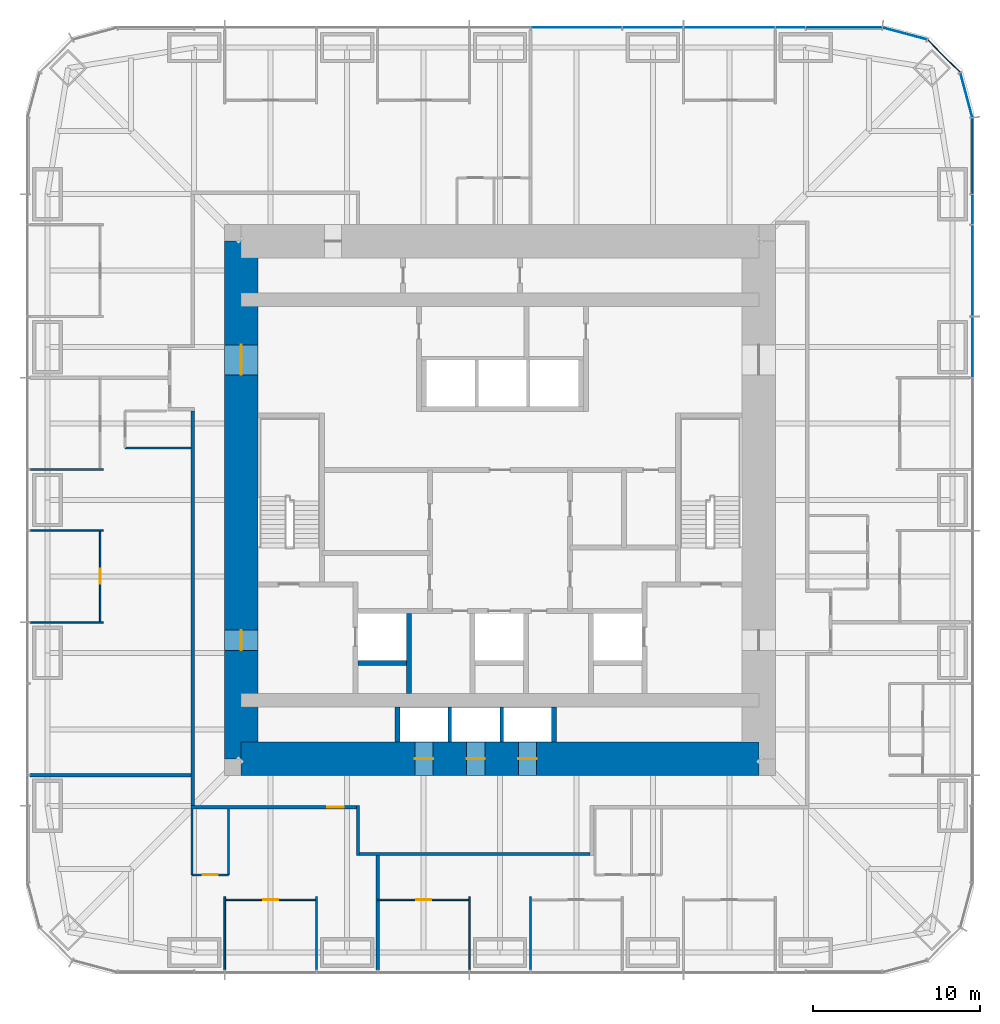
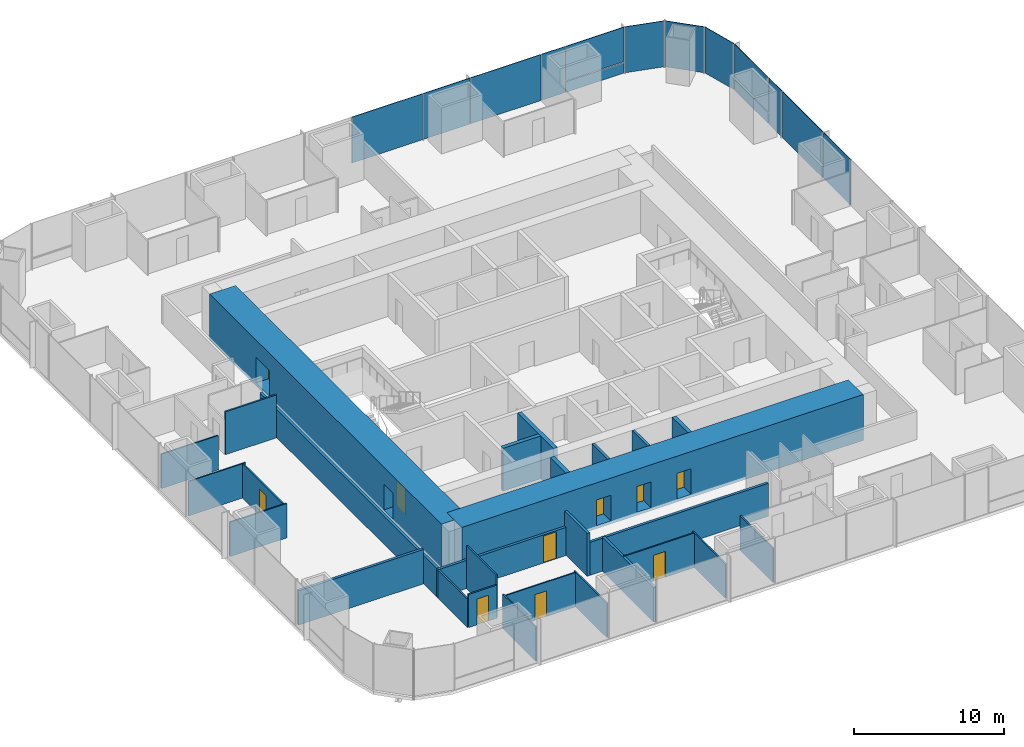
# One storey, part 7 of 11: 28 walls, 14 plates, 10 doors, 10 openings, 3 elements without a shape of their own.
"""IFC4 building model written with IfcOpenShell, lengths in metres."""

from ifc_helpers import new_model, si_unit, direction, frame, frame_2d, origin, origin_2d, place, context, subcontext, project, spatial, rectangle, extrude, material, layer, layer_set, type_object, element, fill, aggregate, save


model = new_model("IFC4")

# Units and contexts
model_context = context("Model", 3, precision=1e-05, world=origin(), true_north=direction((0.0, 1.0)))
body_context = subcontext(model_context, "Body", "Model", "MODEL_VIEW")
ifc_project = project(units=[si_unit("LENGTHUNIT", "METRE"), si_unit("AREAUNIT", "SQUARE_METRE"), si_unit("VOLUMEUNIT", "CUBIC_METRE"), si_unit("PLANEANGLEUNIT", "RADIAN"), si_unit("MASSUNIT", "GRAM", prefix="KILO")], contexts=[model_context])

# Site, building, storey
site_placement = place(None, origin())
site = spatial("IfcSite", under=ifc_project, at=site_placement, CompositionType="ELEMENT")
building_placement = place(site_placement, origin())
building = spatial("IfcBuilding", under=site, at=building_placement, Name="Khuree Lantern Residences", CompositionType="ELEMENT")
storey_placement = place(building_placement, frame((0.0, 0.0, 171.0)))
storey = spatial("IfcBuildingStorey", under=building, at=storey_placement, Name="L43", CompositionType="ELEMENT", Elevation=171.0)

# Curtain wall, plates
ifc_material_1 = material(Name="Bronze anodised aluminium", Category="aluminium")
curtain_wall_type_1 = type_object("IfcCurtainWallType", Name="CW-T2 TOWER CORNER CURTAIN WALL", PredefinedType="USERDEFINED", material=ifc_material_1)
curtain_wall_1_placement = place(storey_placement, origin())
curtain_wall_1 = element("IfcCurtainWall", 1, at=curtain_wall_1_placement, inside=storey, type_object=curtain_wall_type_1, Name="L43 NORTH-EAST CORNER CURTAIN WALL", ObjectType="Faceted corner curtain wall", PredefinedType="USERDEFINED")
ifc_material_2 = material(Name="Bronze tinted triple glazing", Category="glass")
ifc_layer_1 = layer(ifc_material_2, 0.048095703125)
ifc_layer_set_1 = layer_set([ifc_layer_1], Name="FACET PANEL P4")
plate_type_1 = type_object("IfcPlateType", Name="FACET PANEL P4", PredefinedType="CURTAIN_PANEL", material=ifc_layer_set_1)
plate_1_placement = place(storey_placement, frame((27.938720703125, 24.248046875, 0.0), z_axis=(0.0, 0.0, 1.0), x_axis=(-0.258819105321, 0.965925810153, 0.0)))
plate_1 = element("IfcPlate", 2, at=plate_1_placement, type_object=plate_type_1, Name="L43 NORTH-EAST CORNER PANEL 15.1", PredefinedType="CURTAIN_PANEL", context=body_context, shape_type="SweptSolid", body=[
    extrude(rectangle(XDim=2.71923828125, YDim=0.048095703125, at=origin_2d()), origin(), (0.0, 0.0, 1.0), 3.75),
])
plate_2_placement = place(storey_placement, frame((26.58837890625, 26.58837890625, 0.0), z_axis=(0.0, 0.0, 1.0), x_axis=(-0.707106781187, 0.707106781187, 0.0)))
plate_2 = element("IfcPlate", 3, at=plate_2_placement, type_object=plate_type_1, Name="L43 NORTH-EAST CORNER PANEL 16.1", PredefinedType="CURTAIN_PANEL", context=body_context, shape_type="SweptSolid", body=[
    extrude(rectangle(XDim=2.715087890625, YDim=0.048095703125, at=origin_2d()), origin(), (0.0, 0.0, 1.0), 3.75),
])
plate_3_placement = place(storey_placement, frame((24.248046875, 27.938720703125, 0.0), z_axis=(0.0, 0.0, 1.0), x_axis=(-0.965925810153, 0.258819105321, 0.0)))
plate_3 = element("IfcPlate", 4, at=plate_3_placement, type_object=plate_type_1, Name="L43 NORTH-EAST CORNER PANEL 17.1", PredefinedType="CURTAIN_PANEL", context=body_context, shape_type="SweptSolid", body=[
    extrude(rectangle(XDim=2.71923828125, YDim=0.048095703125, at=origin_2d()), origin(), (0.0, 0.0, 1.0), 3.75),
])
aggregate(curtain_wall_1, [plate_1, plate_2, plate_3])

# Curtain wall, plate
curtain_wall_type_2 = type_object("IfcCurtainWallType", Name="CW-T1 TOWER FACE CURTAIN WALL", PredefinedType="USERDEFINED", material=ifc_material_1)
curtain_wall_2_placement = place(storey_placement, origin())
curtain_wall_2 = element("IfcCurtainWall", 5, at=curtain_wall_2_placement, inside=storey, type_object=curtain_wall_type_2, Name="L43 EAST FACE CURTAIN WALL", ObjectType="Stick-built curtain wall", PredefinedType="USERDEFINED")
ifc_material_3 = material(Name="Bronze tinted triple glazing with a ceramic-fritted spandrel band", Category="glass")
ifc_layer_2 = layer(ifc_material_3, 0.048095703125)
ifc_layer_set_2 = layer_set([ifc_layer_2], Name="FIXED LIGHT PANEL P11")
plate_type_2 = type_object("IfcPlateType", Name="FIXED LIGHT PANEL P11", PredefinedType="CURTAIN_PANEL", material=ifc_layer_set_2)
plate_4_placement = place(storey_placement, frame((28.300048828125, 13.739990234375, 0.0), z_axis=(0.0, 0.0, 1.0), x_axis=(0.0, 1.0, 0.0)))
plate_4 = element("IfcPlate", 6, at=plate_4_placement, type_object=plate_type_2, Name="L43 EAST FACE PANEL 12.1", PredefinedType="CURTAIN_PANEL", context=body_context, shape_type="SweptSolid", body=[
    extrude(rectangle(XDim=5.430908203125, YDim=0.048095703125, at=origin_2d()), origin(), (0.0, 0.0, 1.0), 3.75),
])

# Curtain wall, plates
curtain_wall_3_placement = place(storey_placement, origin())
curtain_wall_3 = element("IfcCurtainWall", 7, at=curtain_wall_3_placement, inside=storey, type_object=curtain_wall_type_2, Name="L43 NORTH FACE CURTAIN WALL", ObjectType="Stick-built curtain wall", PredefinedType="USERDEFINED")
plate_5_placement = place(storey_placement, frame((13.739990234375, 28.300048828125, 0.0), z_axis=(0.0, 0.0, 1.0), x_axis=(-1.0, 0.0, 0.0)))
plate_5 = element("IfcPlate", 8, at=plate_5_placement, type_object=plate_type_2, Name="L43 NORTH FACE PANEL 20.1", PredefinedType="CURTAIN_PANEL", context=body_context, shape_type="SweptSolid", body=[
    extrude(rectangle(XDim=5.430908203125, YDim=0.048095703125, at=origin_2d()), origin(), (0.0, 0.0, 1.0), 3.75),
])
plate_6_placement = place(storey_placement, frame((4.580078125, 28.300048828125, 0.0), z_axis=(0.0, 0.0, 1.0), x_axis=(-1.0, 0.0, 0.0)))
plate_6 = element("IfcPlate", 9, at=plate_6_placement, type_object=plate_type_2, Name="L43 NORTH FACE PANEL 22.1", PredefinedType="CURTAIN_PANEL", context=body_context, shape_type="SweptSolid", body=[
    extrude(rectangle(XDim=5.430908203125, YDim=0.048095703125, at=origin_2d()), origin(), (0.0, 0.0, 1.0), 3.75),
])

# Plate
ifc_material_4 = material(Name="Bronze tinted triple glazing, two aluminium-framed sashes in one frame", Category="aluminium")
ifc_layer_3 = layer(ifc_material_4, 0.048095703125)
ifc_layer_set_3 = layer_set([ifc_layer_3], Name="SASH PAIR PANEL P12")
plate_type_3 = type_object("IfcPlateType", Name="SASH PAIR PANEL P12", PredefinedType="CURTAIN_PANEL", material=ifc_layer_set_3)
plate_7_placement = place(storey_placement, frame((28.300048828125, 9.159912109375, 0.0), z_axis=(0.0, 0.0, 1.0), x_axis=(0.0, 1.0, 0.0)))
plate_7 = element("IfcPlate", 10, at=plate_7_placement, type_object=plate_type_3, Name="L43 EAST FACE PANEL 11.1", PredefinedType="CURTAIN_PANEL", context=body_context, shape_type="SweptSolid", body=[
    extrude(rectangle(XDim=3.59912109375, YDim=0.048095703125, at=origin_2d()), origin(), (0.0, 0.0, 1.0), 3.75),
])

plate_8_placement = place(storey_placement, frame((9.159912109375, 28.300048828125, 0.0), z_axis=(0.0, 0.0, 1.0), x_axis=(-1.0, 0.0, 0.0)))
plate_8 = element("IfcPlate", 11, at=plate_8_placement, type_object=plate_type_3, Name="L43 NORTH FACE PANEL 21.1", PredefinedType="CURTAIN_PANEL", context=body_context, shape_type="SweptSolid", body=[
    extrude(rectangle(XDim=3.59912109375, YDim=0.048095703125, at=origin_2d()), origin(), (0.0, 0.0, 1.0), 3.75),
])

ifc_material_5 = material(Name="Bronze tinted triple glazing, aluminium-framed sash", Category="aluminium")
ifc_layer_4 = layer(ifc_material_5, 0.048095703125)
ifc_layer_set_4 = layer_set([ifc_layer_4], Name="SASH PANEL P3")
plate_type_4 = type_object("IfcPlateType", Name="SASH PANEL P3", PredefinedType="CURTAIN_PANEL", material=ifc_layer_set_4)
plate_9_placement = place(storey_placement, frame((28.300048828125, 17.404052734375, 0.0), z_axis=(0.0, 0.0, 1.0), x_axis=(0.0, 1.0, 0.0)))
plate_9 = element("IfcPlate", 12, at=plate_9_placement, type_object=plate_type_4, Name="L43 EAST FACE PANEL 13.1", PredefinedType="CURTAIN_PANEL", context=body_context, shape_type="SweptSolid", body=[
    extrude(rectangle(XDim=1.76708984375, YDim=0.048095703125, at=origin_2d()), origin(), (0.0, 0.0, 1.0), 3.75),
])

plate_10_placement = place(storey_placement, frame((17.404052734375, 28.300048828125, 0.0), z_axis=(0.0, 0.0, 1.0), x_axis=(-1.0, 0.0, 0.0)))
plate_10 = element("IfcPlate", 13, at=plate_10_placement, type_object=plate_type_4, Name="L43 NORTH FACE PANEL 19.1", PredefinedType="CURTAIN_PANEL", context=body_context, shape_type="SweptSolid", body=[
    extrude(rectangle(XDim=1.76708984375, YDim=0.048095703125, at=origin_2d()), origin(), (0.0, 0.0, 1.0), 3.75),
])

ifc_material_6 = material(Name="Bronze anodised aluminium insulated spandrel", Category="aluminium")
ifc_layer_5 = layer(ifc_material_6, 0.06005859375)
ifc_layer_set_5 = layer_set([ifc_layer_5], Name="SPANDREL PANEL P2")
plate_type_5 = type_object("IfcPlateType", Name="SPANDREL PANEL P2", PredefinedType="CURTAIN_PANEL", material=ifc_layer_set_5)
plate_11_placement = place(storey_placement, frame((28.300048828125, 20.60791015625, 0.0), z_axis=(0.0, 0.0, 1.0), x_axis=(0.0, 1.0, 0.0)))
plate_11 = element("IfcPlate", 14, at=plate_11_placement, type_object=plate_type_5, Name="L43 EAST FACE PANEL 14.1", PredefinedType="CURTAIN_PANEL", context=body_context, shape_type="SweptSolid", body=[
    extrude(rectangle(XDim=4.5107421875, YDim=0.06005859375, at=origin_2d()), origin(), (0.0, 0.0, 1.0), 0.867431640625),
])

plate_12_placement = place(storey_placement, frame((20.60791015625, 28.300048828125, 0.0), z_axis=(0.0, 0.0, 1.0), x_axis=(-1.0, 0.0, 0.0)))
plate_12 = element("IfcPlate", 15, at=plate_12_placement, type_object=plate_type_5, Name="L43 NORTH FACE PANEL 18.1", PredefinedType="CURTAIN_PANEL", context=body_context, shape_type="SweptSolid", body=[
    extrude(rectangle(XDim=4.5107421875, YDim=0.06005859375, at=origin_2d()), origin(), (0.0, 0.0, 1.0), 0.867431640625),
])

ifc_layer_6 = layer(ifc_material_2, 0.048095703125)
ifc_layer_set_6 = layer_set([ifc_layer_6], Name="VISION PANEL P1")
plate_type_6 = type_object("IfcPlateType", Name="VISION PANEL P1", PredefinedType="CURTAIN_PANEL", material=ifc_layer_set_6)
plate_13_placement = place(storey_placement, frame((28.300048828125, 20.6083984375, 0.9326171875), z_axis=(0.0, 0.0, 1.0), x_axis=(0.0, 1.0, 0.0)))
plate_13 = element("IfcPlate", 16, at=plate_13_placement, type_object=plate_type_6, Name="L43 EAST FACE PANEL 14.2", PredefinedType="CURTAIN_PANEL", context=body_context, shape_type="SweptSolid", body=[
    extrude(rectangle(XDim=4.511474609375, YDim=0.048095703125, at=origin_2d()), origin(), (0.0, 0.0, 1.0), 2.8173828125),
])

aggregate(curtain_wall_2, [plate_7, plate_4, plate_9, plate_11, plate_13])

plate_14_placement = place(storey_placement, frame((20.6083984375, 28.300048828125, 0.9326171875), z_axis=(0.0, 0.0, 1.0), x_axis=(-1.0, 0.0, 0.0)))
plate_14 = element("IfcPlate", 17, at=plate_14_placement, type_object=plate_type_6, Name="L43 NORTH FACE PANEL 18.2", PredefinedType="CURTAIN_PANEL", context=body_context, shape_type="SweptSolid", body=[
    extrude(rectangle(XDim=4.511474609375, YDim=0.048095703125, at=origin_2d()), origin(), (0.0, 0.0, 1.0), 2.8173828125),
])

aggregate(curtain_wall_3, [plate_12, plate_14, plate_10, plate_5, plate_8, plate_6])

# Wall
ifc_material_7 = material(Name="Moisture-resistant gypsum board on steel studs", Category="steel")
ifc_layer_7 = layer(ifc_material_7, 0.125)
ifc_layer_set_7 = layer_set([ifc_layer_7], Name="BATHROOM WALL BTW125")
wall_type_1 = type_object("IfcWallType", Name="BATHROOM WALL BTW125", PredefinedType="PARTITIONING", material=ifc_layer_set_7)
wall_1_placement = place(storey_placement, frame((-18.5, 3.1279296875, 0.0), z_axis=(0.0, 0.0, 1.0), x_axis=(-1.0, 0.0, 0.0)))
element("IfcWall", 18, at=wall_1_placement, inside=storey, type_object=wall_type_1, Name="L43 BATHROOM WALL 03", PredefinedType="PARTITIONING", context=body_context, shape_type="SweptSolid", body=[
    extrude(rectangle(XDim=3.949951171875, YDim=0.125, at=frame_2d((1.97509765625, 0.0))), origin(), (0.0, 0.0, 1.0), 3.5),
])

# Wall, opening, door
wall_2_placement = place(storey_placement, frame((-18.449951171875, -22.449951171875, 0.0), z_axis=(0.0, 0.0, 1.0), x_axis=(1.0, 0.0, 0.0)))
wall_2 = element("IfcWall", 19, at=wall_2_placement, inside=storey, type_object=wall_type_1, Name="L43 BATHROOM WALL 04", PredefinedType="PARTITIONING", context=body_context, shape_type="SweptSolid", body=[
    extrude(rectangle(XDim=2.199951171875, YDim=0.125, at=frame_2d((1.10009765625, 0.0))), origin(), (0.0, 0.0, 1.0), 2.699951171875),
])
opening_1_placement = place(wall_2_placement, frame((0.64990234375, 0.0, 0.0)))
opening_1 = element("IfcOpeningElement", 20, at=opening_1_placement, cuts=wall_2, Name="Opening 43-043", PredefinedType="OPENING", context=body_context, shape_type="SweptSolid", body=[
    extrude(rectangle(XDim=0.89990234375, YDim=2.10009765625, at=frame_2d((0.449951171875, 1.050048828125))), frame((0.0, 0.072509765625, 0.0), z_axis=(0.0, -1.0, 0.0), x_axis=(1.0, 0.0, 0.0)), (0.0, 0.0, 1.0), 0.14501953125),
])
ifc_material_8 = material(Name="Timber door leaf in hardwood frame", Category="wood")
door_type_1 = type_object("IfcDoorType", Name="BATHROOM DOOR 900X2100", OperationType="SINGLE_SWING_LEFT", PredefinedType="DOOR", material=ifc_material_8)
door_1_placement = place(opening_1_placement, origin())
door_1 = element("IfcDoor", 21, at=door_1_placement, inside=storey, type_object=door_type_1, Name="Bathroom door 43-043", OperationType="SINGLE_SWING_LEFT", OverallHeight=2.10009765625, OverallWidth=0.89990234375, PredefinedType="DOOR", context=body_context, shape_type="SweptSolid", body=[
    extrude(rectangle(XDim=0.89990234375, YDim=2.10009765625, at=frame_2d((0.449951171875, 1.050048828125))), frame((0.0, 0.02490234375, 0.0), z_axis=(0.0, -1.0, 0.0), x_axis=(1.0, 0.0, 0.0)), (0.0, 0.0, 1.0), 0.050048828125),
])
fill(opening_1, door_1)

# Walls
wall_3_placement = place(storey_placement, frame((-18.449951171875, -18.5, 0.0), z_axis=(0.0, 0.0, 1.0), x_axis=(0.0, -1.0, 0.0)))
element("IfcWall", 22, at=wall_3_placement, inside=storey, type_object=wall_type_1, Name="L43 BATHROOM WALL 04", PredefinedType="PARTITIONING", context=body_context, shape_type="SweptSolid", body=[
    extrude(rectangle(XDim=3.949951171875, YDim=0.125, at=frame_2d((1.97509765625, 0.0))), origin(), (0.0, 0.0, 1.0), 2.300048828125),
])
wall_4_placement = place(storey_placement, frame((-16.25, -18.5, 0.0), z_axis=(0.0, 0.0, 1.0), x_axis=(0.0, -1.0, 0.0)))
element("IfcWall", 23, at=wall_4_placement, inside=storey, type_object=wall_type_1, Name="L43 BATHROOM WALL 04", PredefinedType="PARTITIONING", context=body_context, shape_type="SweptSolid", body=[
    extrude(rectangle(XDim=3.949951171875, YDim=0.125, at=frame_2d((1.97509765625, 0.0))), origin(), (0.0, 0.0, 1.0), 3.5),
])
ifc_material_9 = material(Name="Dense concrete blockwork", Category="masonry")
ifc_layer_8 = layer(ifc_material_9, 0.300048828125)
ifc_layer_set_8 = layer_set([ifc_layer_8], Name="CORE PARTITION WALL CPW300 EI 120")
wall_type_2 = type_object("IfcWallType", Name="CORE PARTITION WALL CPW300 EI 120", PredefinedType="PARTITIONING", material=ifc_layer_set_8)
wall_5_placement = place(storey_placement, frame((-5.449951171875, -11.60009765625, 0.0), z_axis=(0.0, 0.0, 1.0), x_axis=(0.0, 1.0, 0.0)))
element("IfcWall", 24, at=wall_5_placement, inside=storey, type_object=wall_type_2, Name="L43 CORE WALL FL1E", PredefinedType="PARTITIONING", context=body_context, shape_type="SweptSolid", body=[
    extrude(rectangle(XDim=4.800048828125, YDim=0.300048828125, at=frame_2d((2.39990234375, 0.0))), origin(), (0.0, 0.0, 1.0), 3.5),
])
wall_6_placement = place(storey_placement, frame((-8.5, -9.75, 0.0), z_axis=(0.0, 0.0, 1.0), x_axis=(1.0, 0.0, 0.0)))
element("IfcWall", 25, at=wall_6_placement, inside=storey, type_object=wall_type_2, Name="L43 CORE WALL FL1S", PredefinedType="PARTITIONING", context=body_context, shape_type="SweptSolid", body=[
    extrude(rectangle(XDim=2.89990234375, YDim=0.300048828125, at=frame_2d((1.449951171875, 0.0))), origin(), (0.0, 0.0, 1.0), 3.5),
])
for number, where, z_axis, x_axis, name in (
    (26, (-6.14990234375, -14.5, 0.0), (0.0, 0.0, 1.0), (0.0, 1.0, 0.0), "L43 CORE WALL PMW"),
    (27, (3.25, -14.5, 0.0), (0.0, 0.0, 1.0), (0.0, 1.0, 0.0), "L43 CORE WALL PME"),
):
    element("IfcWall", number, at=place(storey_placement, frame(where, z_axis=z_axis, x_axis=x_axis)), inside=storey, type_object=wall_type_2, Name=name, PredefinedType="PARTITIONING", context=body_context, shape_type="SweptSolid", body=[
        extrude(rectangle(XDim=2.10009765625, YDim=0.300048828125, at=frame_2d((1.050048828125, 0.0))), origin(), (0.0, 0.0, 1.0), 3.5),
    ])
ifc_material_10 = material(Name="Gypsum board on steel studs", Category="steel")
ifc_layer_9 = layer(ifc_material_10, 0.199951171875)
ifc_layer_set_9 = layer_set([ifc_layer_9], Name="CORRIDOR WALL CRW200 EI 60")
wall_type_3 = type_object("IfcWallType", Name="CORRIDOR WALL CRW200 EI 60", PredefinedType="PARTITIONING", material=ifc_layer_set_9)
wall_7_placement = place(storey_placement, frame((-18.39990234375, 5.327880859375, 0.0), z_axis=(0.0, 0.0, 1.0), x_axis=(0.0, -1.0, 0.0)))
element("IfcWall", 28, at=wall_7_placement, inside=storey, type_object=wall_type_3, Name="L43 CORRIDOR WALL WEST 2", PredefinedType="PARTITIONING", context=body_context, shape_type="SweptSolid", body=[
    extrude(rectangle(XDim=23.6279296875, YDim=0.199951171875, at=frame_2d((11.81396484375, 0.0))), origin(), (0.0, 0.0, 1.0), 2.300048828125),
])
wall_8_placement = place(storey_placement, frame((-8.5, -18.300048828125, 0.0), z_axis=(0.0, 0.0, 1.0), x_axis=(0.0, -1.0, 0.0)))
element("IfcWall", 29, at=wall_8_placement, inside=storey, type_object=wall_type_3, Name="L43 LIFT LOBBY WALL", PredefinedType="PARTITIONING", context=body_context, shape_type="SweptSolid", body=[
    extrude(rectangle(XDim=3.0, YDim=0.199951171875, at=frame_2d((1.5, 0.0))), origin(), (0.0, 0.0, 1.0), 3.5),
])
wall_9_placement = place(storey_placement, frame((5.39990234375, -21.199951171875, 0.0), z_axis=(0.0, 0.0, 1.0), x_axis=(-1.0, 0.0, 0.0)))
element("IfcWall", 30, at=wall_9_placement, inside=storey, type_object=wall_type_3, Name="L43 LIFT LOBBY WALL", PredefinedType="PARTITIONING", context=body_context, shape_type="SweptSolid", body=[
    extrude(rectangle(XDim=13.7998046875, YDim=0.199951171875, at=frame_2d((6.89990234375, 0.0))), origin(), (0.0, 0.0, 1.0), 2.699951171875),
])

# Wall, opening, door
wall_10_placement = place(storey_placement, frame((-8.60009765625, -18.39990234375, 0.0), z_axis=(0.0, 0.0, 1.0), x_axis=(-1.0, 0.0, 0.0)))
wall_10 = element("IfcWall", 31, at=wall_10_placement, inside=storey, type_object=wall_type_3, Name="L43 CORRIDOR WALL SOUTH 2", PredefinedType="PARTITIONING", context=body_context, shape_type="SweptSolid", body=[
    extrude(rectangle(XDim=9.89990234375, YDim=0.199951171875, at=frame_2d((4.949951171875, 0.0))), origin(), (0.0, 0.0, 1.0), 2.300048828125),
])
opening_2_placement = place(wall_10_placement, frame((0.75, 0.0, 0.0)))
opening_2 = element("IfcOpeningElement", 32, at=opening_2_placement, cuts=wall_10, Name="Opening 43-044", PredefinedType="OPENING", context=body_context, shape_type="SweptSolid", body=[
    extrude(rectangle(XDim=1.0, YDim=2.199951171875, at=frame_2d((0.5, 1.10009765625))), frame((0.0, 0.10986328125, 0.0), z_axis=(0.0, -1.0, 0.0), x_axis=(1.0, 0.0, 0.0)), (0.0, 0.0, 1.0), 0.219970703125),
])
door_type_2 = type_object("IfcDoorType", Name="APARTMENT ENTRANCE DOOR 1000X2200 EI 30S", OperationType="SINGLE_SWING_LEFT", PredefinedType="DOOR", material=ifc_material_8)
door_2_placement = place(opening_2_placement, origin())
door_2 = element("IfcDoor", 33, at=door_2_placement, inside=storey, type_object=door_type_2, Name="Apartment 04 entrance door 43-044", OperationType="SINGLE_SWING_LEFT", OverallHeight=2.199951171875, OverallWidth=1.0, PredefinedType="DOOR", context=body_context, shape_type="SweptSolid", body=[
    extrude(rectangle(XDim=1.0, YDim=2.199951171875, at=frame_2d((0.5, 1.10009765625))), frame((0.0, 0.02490234375, 0.0), z_axis=(0.0, -1.0, 0.0), x_axis=(1.0, 0.0, 0.0)), (0.0, 0.0, 1.0), 0.050048828125),
])
fill(opening_2, door_2)

# Wall, openings, doors
ifc_material_11 = material(Name="Concrete C70/85", Category="concrete")
ifc_layer_10 = layer(ifc_material_11, 2.0)
ifc_layer_set_10 = layer_set([ifc_layer_10], Name="CW2000-C70 CORE WALL C70 2000")
wall_type_4 = type_object("IfcWallType", Name="CW2000-C70 CORE WALL C70 2000", PredefinedType="SHEAR", material=ifc_layer_set_10)
wall_11_placement = place(storey_placement, frame((-15.5, -15.5, -0.25), z_axis=(0.0, 0.0, 1.0), x_axis=(1.0, 0.0, 0.0)))
wall_11 = element("IfcWall", 34, at=wall_11_placement, inside=storey, type_object=wall_type_4, Name="Core wall S", PredefinedType="SHEAR", context=body_context, shape_type="SweptSolid", body=[
    extrude(rectangle(XDim=31.0, YDim=2.0, at=frame_2d((15.5, 0.0))), origin(), (0.0, 0.0, 1.0), 3.75),
])
opening_3_placement = place(wall_11_placement, frame((10.39990234375, 0.0, 0.25)))
opening_3 = element("IfcOpeningElement", 35, at=opening_3_placement, cuts=wall_11, Name="Opening 43-009", PredefinedType="OPENING", context=body_context, shape_type="SweptSolid", body=[
    extrude(rectangle(XDim=1.10009765625, YDim=2.10009765625, at=frame_2d((0.550048828125, 1.050048828125))), frame((0.0, 1.010009765625, 0.0), z_axis=(0.0, -1.0, 0.0), x_axis=(1.0, 0.0, 0.0)), (0.0, 0.0, 1.0), 2.02001953125),
])
opening_4_placement = place(wall_11_placement, frame((13.5, 0.0, 0.25)))
opening_4 = element("IfcOpeningElement", 36, at=opening_4_placement, cuts=wall_11, Name="Opening 43-010", PredefinedType="OPENING", context=body_context, shape_type="SweptSolid", body=[
    extrude(rectangle(XDim=1.10009765625, YDim=2.10009765625, at=frame_2d((0.550048828125, 1.050048828125))), frame((0.0, 1.010009765625, 0.0), z_axis=(0.0, -1.0, 0.0), x_axis=(1.0, 0.0, 0.0)), (0.0, 0.0, 1.0), 2.02001953125),
])
opening_5_placement = place(wall_11_placement, frame((16.60009765625, 0.0, 0.25)))
opening_5 = element("IfcOpeningElement", 37, at=opening_5_placement, cuts=wall_11, Name="Opening 43-011", PredefinedType="OPENING", context=body_context, shape_type="SweptSolid", body=[
    extrude(rectangle(XDim=1.10009765625, YDim=2.10009765625, at=frame_2d((0.550048828125, 1.050048828125))), frame((0.0, 1.010009765625, 0.0), z_axis=(0.0, -1.0, 0.0), x_axis=(1.0, 0.0, 0.0)), (0.0, 0.0, 1.0), 2.02001953125),
])
ifc_material_12 = material(Name="Stainless steel lift landing door", Category="steel")
door_type_3 = type_object("IfcDoorType", Name="LIFT LANDING DOOR 1100X2100 E 60", OperationType="DOUBLE_DOOR_SLIDING", PredefinedType="DOOR", material=ifc_material_12)
door_3_placement = place(opening_3_placement, origin())
door_3 = element("IfcDoor", 38, at=door_3_placement, inside=storey, type_object=door_type_3, Name="Landing door PM1 43-009", OperationType="DOUBLE_DOOR_SLIDING", OverallHeight=2.10009765625, OverallWidth=1.10009765625, PredefinedType="DOOR", context=body_context, shape_type="SweptSolid", body=[
    extrude(rectangle(XDim=1.10009765625, YDim=2.10009765625, at=frame_2d((0.550048828125, 1.050048828125))), frame((0.0, 0.02490234375, 0.0), z_axis=(0.0, -1.0, 0.0), x_axis=(1.0, 0.0, 0.0)), (0.0, 0.0, 1.0), 0.050048828125),
])
fill(opening_3, door_3)
door_4_placement = place(opening_4_placement, origin())
door_4 = element("IfcDoor", 39, at=door_4_placement, inside=storey, type_object=door_type_3, Name="Landing door PM2 43-010", OperationType="DOUBLE_DOOR_SLIDING", OverallHeight=2.10009765625, OverallWidth=1.10009765625, PredefinedType="DOOR", context=body_context, shape_type="SweptSolid", body=[
    extrude(rectangle(XDim=1.10009765625, YDim=2.10009765625, at=frame_2d((0.550048828125, 1.050048828125))), frame((0.0, 0.02490234375, 0.0), z_axis=(0.0, -1.0, 0.0), x_axis=(1.0, 0.0, 0.0)), (0.0, 0.0, 1.0), 0.050048828125),
])
fill(opening_4, door_4)
door_5_placement = place(opening_5_placement, origin())
door_5 = element("IfcDoor", 40, at=door_5_placement, inside=storey, type_object=door_type_3, Name="Landing door PM3 43-011", OperationType="DOUBLE_DOOR_SLIDING", OverallHeight=2.10009765625, OverallWidth=1.10009765625, PredefinedType="DOOR", context=body_context, shape_type="SweptSolid", body=[
    extrude(rectangle(XDim=1.10009765625, YDim=2.10009765625, at=frame_2d((0.550048828125, 1.050048828125))), frame((0.0, 0.02490234375, 0.0), z_axis=(0.0, -1.0, 0.0), x_axis=(1.0, 0.0, 0.0)), (0.0, 0.0, 1.0), 0.050048828125),
])
fill(opening_5, door_5)

wall_12_placement = place(storey_placement, frame((-15.5, -15.5, -0.25), z_axis=(0.0, 0.0, 1.0), x_axis=(0.0, 1.0, 0.0)))
wall_12 = element("IfcWall", 41, at=wall_12_placement, inside=storey, type_object=wall_type_4, Name="Core wall W", PredefinedType="SHEAR", context=body_context, shape_type="SweptSolid", body=[
    extrude(rectangle(XDim=31.0, YDim=2.0, at=frame_2d((15.5, 0.0))), origin(), (0.0, 0.0, 1.0), 3.75),
])
opening_6_placement = place(wall_12_placement, frame((6.5, 0.0, 0.25)))
opening_6 = element("IfcOpeningElement", 42, at=opening_6_placement, cuts=wall_12, Name="Opening 43-002", PredefinedType="OPENING", context=body_context, shape_type="SweptSolid", body=[
    extrude(rectangle(XDim=1.199951171875, YDim=2.10009765625, at=frame_2d((0.60009765625, 1.050048828125))), frame((0.0, 1.010009765625, 0.0), z_axis=(0.0, -1.0, 0.0), x_axis=(1.0, 0.0, 0.0)), (0.0, 0.0, 1.0), 2.02001953125),
])
opening_7_placement = place(wall_12_placement, frame((23.0, 0.0, 0.25)))
opening_7 = element("IfcOpeningElement", 43, at=opening_7_placement, cuts=wall_12, Name="Opening 43-003", PredefinedType="OPENING", context=body_context, shape_type="SweptSolid", body=[
    extrude(rectangle(XDim=1.800048828125, YDim=2.10009765625, at=frame_2d((0.89990234375, 1.050048828125))), frame((0.0, 1.010009765625, 0.0), z_axis=(0.0, -1.0, 0.0), x_axis=(1.0, 0.0, 0.0)), (0.0, 0.0, 1.0), 2.02001953125),
])
ifc_material_13 = material(Name="Steel door leaf in steel frame", Category="steel")
door_type_4 = type_object("IfcDoorType", Name="LOBBY DOOR 1200X2100 EI 120", OperationType="SINGLE_SWING_LEFT", PredefinedType="DOOR", material=ifc_material_13)
door_6_placement = place(opening_6_placement, origin())
door_6 = element("IfcDoor", 44, at=door_6_placement, inside=storey, type_object=door_type_4, Name="Firefighting lobby door 43-002", OperationType="SINGLE_SWING_LEFT", OverallHeight=2.10009765625, OverallWidth=1.199951171875, PredefinedType="DOOR", context=body_context, shape_type="SweptSolid", body=[
    extrude(rectangle(XDim=1.199951171875, YDim=2.10009765625, at=frame_2d((0.60009765625, 1.050048828125))), frame((0.0, 0.02490234375, 0.0), z_axis=(0.0, -1.0, 0.0), x_axis=(1.0, 0.0, 0.0)), (0.0, 0.0, 1.0), 0.050048828125),
])
fill(opening_6, door_6)
door_type_5 = type_object("IfcDoorType", Name="LOBBY DOUBLE DOOR 1800X2100 EI 60", OperationType="DOUBLE_DOOR_SINGLE_SWING", PredefinedType="DOOR", material=ifc_material_13)
door_7_placement = place(opening_7_placement, origin())
door_7 = element("IfcDoor", 45, at=door_7_placement, inside=storey, type_object=door_type_5, Name="Lift lobby door 43-003", OperationType="DOUBLE_DOOR_SINGLE_SWING", OverallHeight=2.10009765625, OverallWidth=1.800048828125, PredefinedType="DOOR", context=body_context, shape_type="SweptSolid", body=[
    extrude(rectangle(XDim=1.800048828125, YDim=2.10009765625, at=frame_2d((0.89990234375, 1.050048828125))), frame((0.0, 0.02490234375, 0.0), z_axis=(0.0, -1.0, 0.0), x_axis=(1.0, 0.0, 0.0)), (0.0, 0.0, 1.0), 0.050048828125),
])
fill(opening_7, door_7)

# Walls
ifc_layer_11 = layer(ifc_material_10, 0.199951171875)
ifc_layer_set_11 = layer_set([ifc_layer_11], Name="DEMISING WALL DMW200 EI 90")
wall_type_5 = type_object("IfcWallType", Name="DEMISING WALL DMW200 EI 90", PredefinedType="PARTITIONING", material=ifc_layer_set_11)
wall_13_placement = place(storey_placement, frame((-18.5, -16.488037109375, 0.0), z_axis=(0.0, 0.0, 1.0), x_axis=(-1.0, 0.0, 0.0)))
element("IfcWall", 46, at=wall_13_placement, inside=storey, type_object=wall_type_5, Name="L43 DEMISING WALL 04", PredefinedType="PARTITIONING", context=body_context, shape_type="SweptSolid", body=[
    extrude(rectangle(XDim=9.64990234375, YDim=0.199951171875, at=frame_2d((4.824951171875, 0.0))), origin(), (0.0, 0.0, 1.0), 2.81005859375),
])
wall_14_placement = place(storey_placement, frame((-7.327880859375, -21.300048828125, 0.0), z_axis=(0.0, 0.0, 1.0), x_axis=(0.0, -1.0, 0.0)))
element("IfcWall", 47, at=wall_14_placement, inside=storey, type_object=wall_type_5, Name="L43 DEMISING WALL 05", PredefinedType="PARTITIONING", context=body_context, shape_type="SweptSolid", body=[
    extrude(rectangle(XDim=6.849853515625, YDim=0.199951171875, at=frame_2d((3.4248046875, 0.0))), origin(), (0.0, 0.0, 1.0), 2.81005859375),
])
ifc_layer_12 = layer(ifc_material_10, 0.10009765625)
ifc_layer_set_12 = layer_set([ifc_layer_12], Name="PARTITION PT100")
wall_type_6 = type_object("IfcWallType", Name="PARTITION PT100", PredefinedType="PARTITIONING", material=ifc_layer_set_12)
for number, where, z_axis, x_axis, name in (
    (48, (-23.75, 1.83203125, 0.0), (0.0, 0.0, 1.0), (-1.0, 0.0, 0.0), "L43 PARTITION 03"),
    (49, (-23.75, -1.83203125, 0.0), (0.0, 0.0, 1.0), (-1.0, 0.0, 0.0), "L43 PARTITION 03"),
    (50, (-23.75, -7.327880859375, 0.0), (0.0, 0.0, 1.0), (-1.0, 0.0, 0.0), "L43 PARTITION 03"),
    (51, (-16.488037109375, -23.75, 0.0), (0.0, 0.0, 1.0), (0.0, -1.0, 0.0), "L43 PARTITION 04"),
    (52, (-10.991943359375, -23.75, 0.0), (0.0, 0.0, 1.0), (0.0, -1.0, 0.0), "L43 PARTITION 04"),
    (53, (-1.83203125, -23.75, 0.0), (0.0, 0.0, 1.0), (0.0, -1.0, 0.0), "L43 PARTITION 05"),
    (54, (1.83203125, -23.75, 0.0), (0.0, 0.0, 1.0), (0.0, -1.0, 0.0), "L43 PARTITION 05"),
):
    element("IfcWall", number, at=place(storey_placement, frame(where, z_axis=z_axis, x_axis=x_axis)), inside=storey, type_object=wall_type_6, Name=name, PredefinedType="PARTITIONING", context=body_context, shape_type="SweptSolid", body=[
        extrude(rectangle(XDim=4.39990234375, YDim=0.10009765625, at=frame_2d((2.199951171875, 0.0))), origin(), (0.0, 0.0, 1.0), 2.81005859375),
    ])

# Wall, opening, door
wall_15_placement = place(storey_placement, frame((-23.949951171875, -1.83203125, 0.0), z_axis=(0.0, 0.0, 1.0), x_axis=(0.0, -1.0, 0.0)))
wall_15 = element("IfcWall", 55, at=wall_15_placement, inside=storey, type_object=wall_type_6, Name="L43 PARTITION 03", PredefinedType="PARTITIONING", context=body_context, shape_type="SweptSolid", body=[
    extrude(rectangle(XDim=5.495849609375, YDim=0.10009765625, at=frame_2d((2.748046875, 0.0))), origin(), (0.0, 0.0, 1.0), 2.81005859375),
])
opening_8_placement = place(wall_15_placement, frame((2.298095703125, 0.0, 0.0)))
opening_8 = element("IfcOpeningElement", 56, at=opening_8_placement, cuts=wall_15, Name="Opening 43-039", PredefinedType="OPENING", context=body_context, shape_type="SweptSolid", body=[
    extrude(rectangle(XDim=0.89990234375, YDim=2.10009765625, at=frame_2d((0.449951171875, 1.050048828125))), frame((0.0, 0.06005859375, 0.0), z_axis=(0.0, -1.0, 0.0), x_axis=(1.0, 0.0, 0.0)), (0.0, 0.0, 1.0), 0.1201171875),
])
door_type_6 = type_object("IfcDoorType", Name="BEDROOM DOOR 900X2100", OperationType="SINGLE_SWING_LEFT", PredefinedType="DOOR", material=ifc_material_8)
door_8_placement = place(opening_8_placement, origin())
door_8 = element("IfcDoor", 57, at=door_8_placement, inside=storey, type_object=door_type_6, Name="Bedroom door 43-039", OperationType="SINGLE_SWING_LEFT", OverallHeight=2.10009765625, OverallWidth=0.89990234375, PredefinedType="DOOR", context=body_context, shape_type="SweptSolid", body=[
    extrude(rectangle(XDim=0.89990234375, YDim=2.10009765625, at=frame_2d((0.449951171875, 1.050048828125))), frame((0.0, 0.02490234375, 0.0), z_axis=(0.0, -1.0, 0.0), x_axis=(1.0, 0.0, 0.0)), (0.0, 0.0, 1.0), 0.050048828125),
])
fill(opening_8, door_8)

wall_16_placement = place(storey_placement, frame((-16.488037109375, -23.949951171875, 0.0), z_axis=(0.0, 0.0, 1.0), x_axis=(1.0, 0.0, 0.0)))
wall_16 = element("IfcWall", 58, at=wall_16_placement, inside=storey, type_object=wall_type_6, Name="L43 PARTITION 04", PredefinedType="PARTITIONING", context=body_context, shape_type="SweptSolid", body=[
    extrude(rectangle(XDim=5.49609375, YDim=0.10009765625, at=frame_2d((2.748046875, 0.0))), origin(), (0.0, 0.0, 1.0), 2.81005859375),
])
opening_9_placement = place(wall_16_placement, frame((2.298095703125, 0.0, 0.0)))
opening_9 = element("IfcOpeningElement", 59, at=opening_9_placement, cuts=wall_16, Name="Opening 43-042", PredefinedType="OPENING", context=body_context, shape_type="SweptSolid", body=[
    extrude(rectangle(XDim=0.89990234375, YDim=2.10009765625, at=frame_2d((0.449951171875, 1.050048828125))), frame((0.0, 0.06005859375, 0.0), z_axis=(0.0, -1.0, 0.0), x_axis=(1.0, 0.0, 0.0)), (0.0, 0.0, 1.0), 0.1201171875),
])
door_9_placement = place(opening_9_placement, origin())
door_9 = element("IfcDoor", 60, at=door_9_placement, inside=storey, type_object=door_type_6, Name="Bedroom door 43-042", OperationType="SINGLE_SWING_LEFT", OverallHeight=2.10009765625, OverallWidth=0.89990234375, PredefinedType="DOOR", context=body_context, shape_type="SweptSolid", body=[
    extrude(rectangle(XDim=0.89990234375, YDim=2.10009765625, at=frame_2d((0.449951171875, 1.050048828125))), frame((0.0, 0.02490234375, 0.0), z_axis=(0.0, -1.0, 0.0), x_axis=(1.0, 0.0, 0.0)), (0.0, 0.0, 1.0), 0.050048828125),
])
fill(opening_9, door_9)

wall_17_placement = place(storey_placement, frame((-7.327880859375, -23.949951171875, 0.0), z_axis=(0.0, 0.0, 1.0), x_axis=(1.0, 0.0, 0.0)))
wall_17 = element("IfcWall", 61, at=wall_17_placement, inside=storey, type_object=wall_type_6, Name="L43 PARTITION 05", PredefinedType="PARTITIONING", context=body_context, shape_type="SweptSolid", body=[
    extrude(rectangle(XDim=5.495849609375, YDim=0.10009765625, at=frame_2d((2.748046875, 0.0))), origin(), (0.0, 0.0, 1.0), 2.81005859375),
])
opening_10_placement = place(wall_17_placement, frame((2.298095703125, 0.0, 0.0)))
opening_10 = element("IfcOpeningElement", 62, at=opening_10_placement, cuts=wall_17, Name="Opening 43-045", PredefinedType="OPENING", context=body_context, shape_type="SweptSolid", body=[
    extrude(rectangle(XDim=0.89990234375, YDim=2.10009765625, at=frame_2d((0.449951171875, 1.050048828125))), frame((0.0, 0.06005859375, 0.0), z_axis=(0.0, -1.0, 0.0), x_axis=(1.0, 0.0, 0.0)), (0.0, 0.0, 1.0), 0.1201171875),
])
door_10_placement = place(opening_10_placement, origin())
door_10 = element("IfcDoor", 63, at=door_10_placement, inside=storey, type_object=door_type_6, Name="Bedroom door 43-045", OperationType="SINGLE_SWING_LEFT", OverallHeight=2.10009765625, OverallWidth=0.89990234375, PredefinedType="DOOR", context=body_context, shape_type="SweptSolid", body=[
    extrude(rectangle(XDim=0.89990234375, YDim=2.10009765625, at=frame_2d((0.449951171875, 1.050048828125))), frame((0.0, 0.02490234375, 0.0), z_axis=(0.0, -1.0, 0.0), x_axis=(1.0, 0.0, 0.0)), (0.0, 0.0, 1.0), 0.050048828125),
])
fill(opening_10, door_10)

# Walls
ifc_layer_13 = layer(ifc_material_9, 0.199951171875)
ifc_layer_set_13 = layer_set([ifc_layer_13], Name="SHAFT WALL SHW200 EI 120")
wall_type_7 = type_object("IfcWallType", Name="SHAFT WALL SHW200 EI 120", PredefinedType="PARTITIONING", material=ifc_layer_set_13)
for number, where, z_axis, x_axis, name in (
    (64, (-3.0, -14.5, 0.0), (0.0, 0.0, 1.0), (0.0, 1.0, 0.0), "L43 CORE WALL PMD1"),
    (65, (0.10009765625, -14.5, 0.0), (0.0, 0.0, 1.0), (0.0, 1.0, 0.0), "L43 CORE WALL PMD2"),
):
    element("IfcWall", number, at=place(storey_placement, frame(where, z_axis=z_axis, x_axis=x_axis)), inside=storey, type_object=wall_type_7, Name=name, PredefinedType="PARTITIONING", context=body_context, shape_type="SweptSolid", body=[
        extrude(rectangle(XDim=2.10009765625, YDim=0.199951171875, at=frame_2d((1.050048828125, 0.0))), origin(), (0.0, 0.0, 1.0), 3.5),
    ])

save(model, "model.ifc")
